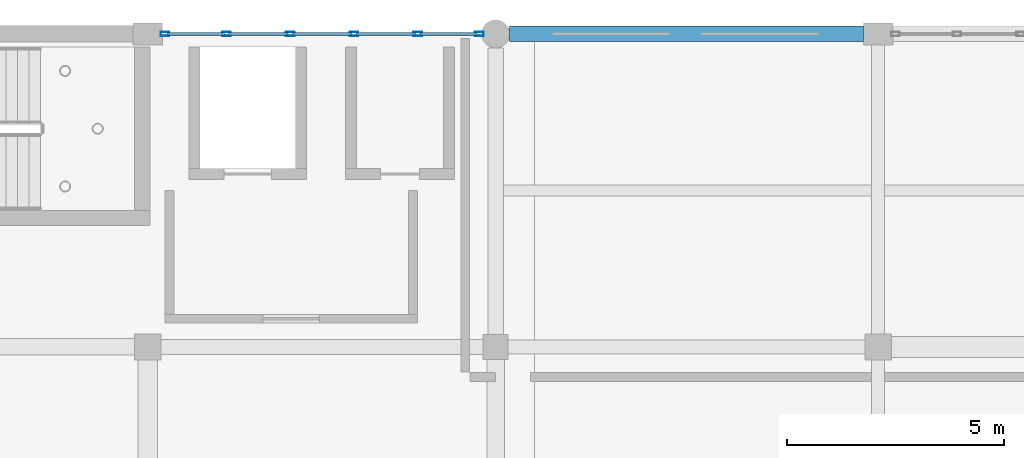
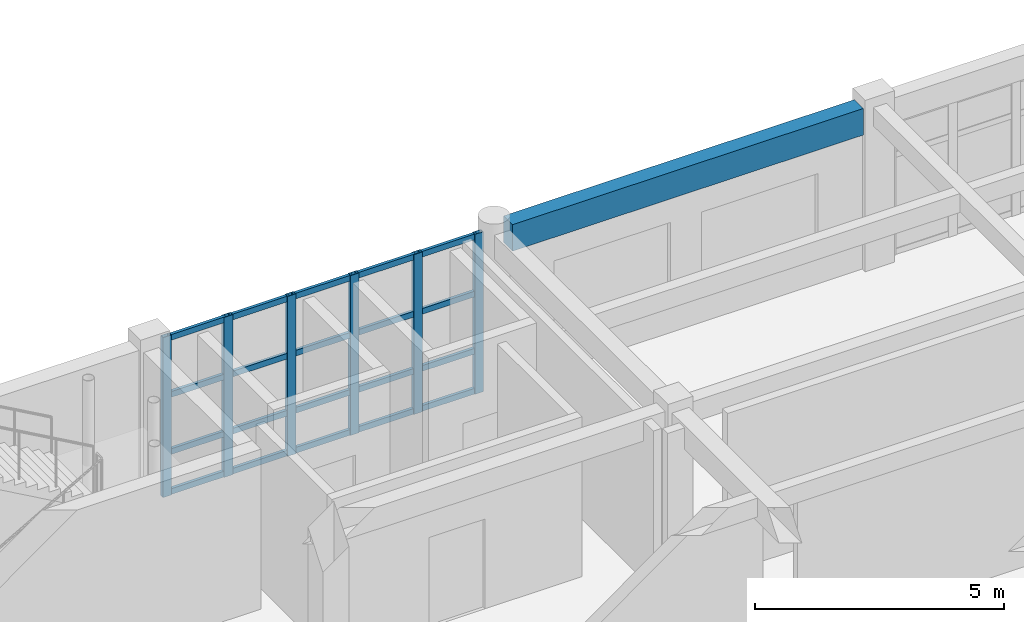
# One storey, part 63 of 121: 26 members, 1 beam, 1 element without a shape of its own.
"""IFC4 building model written with IfcOpenShell, lengths in metres."""

from ifc_helpers import new_model, si_unit, direction, frame, origin, origin_2d, place, context, subcontext, project, spatial, rectangle, hollow_rectangle, extrude, material, material_profile, profile_set, type_object, element, aggregate, save


model = new_model("IFC4")

# Units and contexts
model_context = context("Model", 3, precision=1e-05, world=origin(), true_north=direction((0.0, 1.0)))
body_context = subcontext(model_context, "Body", "Model", "MODEL_VIEW")
ifc_project = project(units=[si_unit("LENGTHUNIT", "METRE"), si_unit("AREAUNIT", "SQUARE_METRE"), si_unit("VOLUMEUNIT", "CUBIC_METRE"), si_unit("PLANEANGLEUNIT", "RADIAN"), si_unit("MASSUNIT", "GRAM", prefix="KILO")], contexts=[model_context])

# Site, building, storey
site_placement = place(None, origin())
site = spatial("IfcSite", under=ifc_project, at=site_placement, CompositionType="ELEMENT")
building_placement = place(site_placement, origin())
building = spatial("IfcBuilding", under=site, at=building_placement, Name="Kharva Crest Polytechnic", CompositionType="ELEMENT")
storey_placement = place(building_placement, frame((0.0, 0.0, 13.199951171875)))
storey = spatial("IfcBuildingStorey", under=building, at=storey_placement, Name="L03", CompositionType="ELEMENT", Elevation=13.199951171875)

# Curtain wall, members
ifc_material_1 = material(Name="Tempered insulated glass", Category="glass")
curtain_wall_type = type_object("IfcCurtainWallType", Name="CW-SYS-LIBRARY", PredefinedType="USERDEFINED", material=ifc_material_1)
curtain_wall_placement = place(storey_placement, origin())
curtain_wall = element("IfcCurtainWall", 1, at=curtain_wall_placement, inside=storey, type_object=curtain_wall_type, Name="L03 Glazed Curtain Wall CW-159", ObjectType="CURTAIN WALL", PredefinedType="USERDEFINED")
ifc_material_2 = material(Name="Steel S355", Category="steel")
ifc_material_profile_1 = material_profile(ifc_material_2, hollow_rectangle(XDim=0.10009765625, YDim=0.199951171875, WallThickness=0.00634765625, at=origin_2d()), Name="RHS 200X100X6.3")
ifc_profile_set_1 = profile_set([ifc_material_profile_1], Name="Steel S355")
member_type_1 = type_object("IfcMemberType", Name="CWM-RHS200X100", PredefinedType="MULLION", material=ifc_profile_set_1)
member_1_placement = place(storey_placement, frame((119.625, 122.0, 0.0), z_axis=(0.0, 0.0, 1.0), x_axis=(0.0, -1.0, 0.0)))
member_1 = element("IfcMember", 2, at=member_1_placement, type_object=member_type_1, Name="CW-159 mullion 1", PredefinedType="MULLION", context=body_context, shape_type="SweptSolid", body=[
    extrude(hollow_rectangle(XDim=0.10009765625, YDim=0.199951171875, WallThickness=0.00634765625, at=origin_2d()), origin(), (0.0, 0.0, 1.0), 3.920166015625),
])
member_2_placement = place(storey_placement, frame((118.208984375, 122.0, 0.0), z_axis=(0.0, 0.0, 1.0), x_axis=(0.0, -1.0, 0.0)))
member_2 = element("IfcMember", 3, at=member_2_placement, type_object=member_type_1, Name="CW-159 mullion 2", PredefinedType="MULLION", context=body_context, shape_type="SweptSolid", body=[
    extrude(hollow_rectangle(XDim=0.10009765625, YDim=0.199951171875, WallThickness=0.00634765625, at=origin_2d()), origin(), (0.0, 0.0, 1.0), 3.920166015625),
])
member_3_placement = place(storey_placement, frame((116.742919921875, 122.0, 0.0), z_axis=(0.0, 0.0, 1.0), x_axis=(0.0, -1.0, 0.0)))
member_3 = element("IfcMember", 4, at=member_3_placement, type_object=member_type_1, Name="CW-159 mullion 3", PredefinedType="MULLION", context=body_context, shape_type="SweptSolid", body=[
    extrude(hollow_rectangle(XDim=0.10009765625, YDim=0.199951171875, WallThickness=0.00634765625, at=origin_2d()), origin(), (0.0, 0.0, 1.0), 3.920166015625),
])
member_4_placement = place(storey_placement, frame((115.277099609375, 122.0, 0.0), z_axis=(0.0, 0.0, 1.0), x_axis=(0.0, -1.0, 0.0)))
member_4 = element("IfcMember", 5, at=member_4_placement, type_object=member_type_1, Name="CW-159 mullion 4", PredefinedType="MULLION", context=body_context, shape_type="SweptSolid", body=[
    extrude(hollow_rectangle(XDim=0.10009765625, YDim=0.199951171875, WallThickness=0.00634765625, at=origin_2d()), origin(), (0.0, 0.0, 1.0), 3.920166015625),
])
member_5_placement = place(storey_placement, frame((113.81103515625, 122.0, 0.0), z_axis=(0.0, 0.0, 1.0), x_axis=(0.0, -1.0, 0.0)))
member_5 = element("IfcMember", 6, at=member_5_placement, type_object=member_type_1, Name="CW-159 mullion 5", PredefinedType="MULLION", context=body_context, shape_type="SweptSolid", body=[
    extrude(hollow_rectangle(XDim=0.10009765625, YDim=0.199951171875, WallThickness=0.00634765625, at=origin_2d()), origin(), (0.0, 0.0, 1.0), 3.920166015625),
])
member_6_placement = place(storey_placement, frame((112.39501953125, 122.0, 0.0), z_axis=(0.0, 0.0, 1.0), x_axis=(0.0, -1.0, 0.0)))
member_6 = element("IfcMember", 7, at=member_6_placement, type_object=member_type_1, Name="CW-159 mullion 6", PredefinedType="MULLION", context=body_context, shape_type="SweptSolid", body=[
    extrude(hollow_rectangle(XDim=0.10009765625, YDim=0.199951171875, WallThickness=0.00634765625, at=origin_2d()), origin(), (0.0, 0.0, 1.0), 3.920166015625),
])
ifc_material_profile_2 = material_profile(ifc_material_2, hollow_rectangle(XDim=0.070068359375, YDim=0.139892578125, WallThickness=0.00390625, at=origin_2d()), Name="RHS 140X70X4.0")
ifc_profile_set_2 = profile_set([ifc_material_profile_2], Name="Steel S355")
member_type_2 = type_object("IfcMemberType", Name="CWT-RHS140X70", PredefinedType="USERDEFINED", material=ifc_profile_set_2)
member_7_placement = place(storey_placement, frame((119.574951171875, 122.0, 0.070068359375), z_axis=(-1.0, 0.0, 0.0), x_axis=(0.0, -1.0, 0.0)))
member_7 = element("IfcMember", 8, at=member_7_placement, type_object=member_type_2, Name="CW-159 transom 1.1", ObjectType="TRANSOM", PredefinedType="USERDEFINED", context=body_context, shape_type="SweptSolid", body=[
    extrude(hollow_rectangle(XDim=0.070068359375, YDim=0.139892578125, WallThickness=0.00390625, at=origin_2d()), origin(), (0.0, 0.0, 1.0), 1.31591796875),
])
member_8_placement = place(storey_placement, frame((119.574951171875, 122.0, 1.050048828125), z_axis=(-1.0, 0.0, 0.0), x_axis=(0.0, -1.0, 0.0)))
member_8 = element("IfcMember", 9, at=member_8_placement, type_object=member_type_2, Name="CW-159 transom 1.2", ObjectType="TRANSOM", PredefinedType="USERDEFINED", context=body_context, shape_type="SweptSolid", body=[
    extrude(hollow_rectangle(XDim=0.070068359375, YDim=0.139892578125, WallThickness=0.00390625, at=origin_2d()), origin(), (0.0, 0.0, 1.0), 1.31591796875),
])
member_9_placement = place(storey_placement, frame((119.574951171875, 122.0, 2.449951171875), z_axis=(-1.0, 0.0, 0.0), x_axis=(0.0, -1.0, 0.0)))
member_9 = element("IfcMember", 10, at=member_9_placement, type_object=member_type_2, Name="CW-159 transom 1.3", ObjectType="TRANSOM", PredefinedType="USERDEFINED", context=body_context, shape_type="SweptSolid", body=[
    extrude(hollow_rectangle(XDim=0.070068359375, YDim=0.139892578125, WallThickness=0.00390625, at=origin_2d()), origin(), (0.0, 0.0, 1.0), 1.31591796875),
])
member_10_placement = place(storey_placement, frame((119.574951171875, 122.0, 3.85009765625), z_axis=(-1.0, 0.0, 0.0), x_axis=(0.0, -1.0, 0.0)))
member_10 = element("IfcMember", 11, at=member_10_placement, type_object=member_type_2, Name="CW-159 transom 1.4", ObjectType="TRANSOM", PredefinedType="USERDEFINED", context=body_context, shape_type="SweptSolid", body=[
    extrude(hollow_rectangle(XDim=0.070068359375, YDim=0.139892578125, WallThickness=0.00390625, at=origin_2d()), origin(), (0.0, 0.0, 1.0), 1.31591796875),
])
member_11_placement = place(storey_placement, frame((118.158935546875, 122.0, 0.070068359375), z_axis=(-1.0, 0.0, 0.0), x_axis=(0.0, -1.0, 0.0)))
member_11 = element("IfcMember", 12, at=member_11_placement, type_object=member_type_2, Name="CW-159 transom 2.1", ObjectType="TRANSOM", PredefinedType="USERDEFINED", context=body_context, shape_type="SweptSolid", body=[
    extrude(hollow_rectangle(XDim=0.070068359375, YDim=0.139892578125, WallThickness=0.00390625, at=origin_2d()), origin(), (0.0, 0.0, 1.0), 1.365966796875),
])
member_12_placement = place(storey_placement, frame((118.158935546875, 122.0, 1.050048828125), z_axis=(-1.0, 0.0, 0.0), x_axis=(0.0, -1.0, 0.0)))
member_12 = element("IfcMember", 13, at=member_12_placement, type_object=member_type_2, Name="CW-159 transom 2.2", ObjectType="TRANSOM", PredefinedType="USERDEFINED", context=body_context, shape_type="SweptSolid", body=[
    extrude(hollow_rectangle(XDim=0.070068359375, YDim=0.139892578125, WallThickness=0.00390625, at=origin_2d()), origin(), (0.0, 0.0, 1.0), 1.365966796875),
])
member_13_placement = place(storey_placement, frame((118.158935546875, 122.0, 2.449951171875), z_axis=(-1.0, 0.0, 0.0), x_axis=(0.0, -1.0, 0.0)))
member_13 = element("IfcMember", 14, at=member_13_placement, type_object=member_type_2, Name="CW-159 transom 2.3", ObjectType="TRANSOM", PredefinedType="USERDEFINED", context=body_context, shape_type="SweptSolid", body=[
    extrude(hollow_rectangle(XDim=0.070068359375, YDim=0.139892578125, WallThickness=0.00390625, at=origin_2d()), origin(), (0.0, 0.0, 1.0), 1.365966796875),
])
member_14_placement = place(storey_placement, frame((118.158935546875, 122.0, 3.85009765625), z_axis=(-1.0, 0.0, 0.0), x_axis=(0.0, -1.0, 0.0)))
member_14 = element("IfcMember", 15, at=member_14_placement, type_object=member_type_2, Name="CW-159 transom 2.4", ObjectType="TRANSOM", PredefinedType="USERDEFINED", context=body_context, shape_type="SweptSolid", body=[
    extrude(hollow_rectangle(XDim=0.070068359375, YDim=0.139892578125, WallThickness=0.00390625, at=origin_2d()), origin(), (0.0, 0.0, 1.0), 1.365966796875),
])
member_15_placement = place(storey_placement, frame((116.693115234375, 122.0, 0.070068359375), z_axis=(-1.0, 0.0, 0.0), x_axis=(0.0, -1.0, 0.0)))
member_15 = element("IfcMember", 16, at=member_15_placement, type_object=member_type_2, Name="CW-159 transom 3.1", ObjectType="TRANSOM", PredefinedType="USERDEFINED", context=body_context, shape_type="SweptSolid", body=[
    extrude(hollow_rectangle(XDim=0.070068359375, YDim=0.139892578125, WallThickness=0.00390625, at=origin_2d()), origin(), (0.0, 0.0, 1.0), 1.3662109375),
])
member_16_placement = place(storey_placement, frame((116.693115234375, 122.0, 1.050048828125), z_axis=(-1.0, 0.0, 0.0), x_axis=(0.0, -1.0, 0.0)))
member_16 = element("IfcMember", 17, at=member_16_placement, type_object=member_type_2, Name="CW-159 transom 3.2", ObjectType="TRANSOM", PredefinedType="USERDEFINED", context=body_context, shape_type="SweptSolid", body=[
    extrude(hollow_rectangle(XDim=0.070068359375, YDim=0.139892578125, WallThickness=0.00390625, at=origin_2d()), origin(), (0.0, 0.0, 1.0), 1.3662109375),
])
member_17_placement = place(storey_placement, frame((116.693115234375, 122.0, 2.449951171875), z_axis=(-1.0, 0.0, 0.0), x_axis=(0.0, -1.0, 0.0)))
member_17 = element("IfcMember", 18, at=member_17_placement, type_object=member_type_2, Name="CW-159 transom 3.3", ObjectType="TRANSOM", PredefinedType="USERDEFINED", context=body_context, shape_type="SweptSolid", body=[
    extrude(hollow_rectangle(XDim=0.070068359375, YDim=0.139892578125, WallThickness=0.00390625, at=origin_2d()), origin(), (0.0, 0.0, 1.0), 1.3662109375),
])
member_18_placement = place(storey_placement, frame((116.693115234375, 122.0, 3.85009765625), z_axis=(-1.0, 0.0, 0.0), x_axis=(0.0, -1.0, 0.0)))
member_18 = element("IfcMember", 19, at=member_18_placement, type_object=member_type_2, Name="CW-159 transom 3.4", ObjectType="TRANSOM", PredefinedType="USERDEFINED", context=body_context, shape_type="SweptSolid", body=[
    extrude(hollow_rectangle(XDim=0.070068359375, YDim=0.139892578125, WallThickness=0.00390625, at=origin_2d()), origin(), (0.0, 0.0, 1.0), 1.3662109375),
])
member_19_placement = place(storey_placement, frame((115.22705078125, 122.0, 0.070068359375), z_axis=(-1.0, 0.0, 0.0), x_axis=(0.0, -1.0, 0.0)))
member_19 = element("IfcMember", 20, at=member_19_placement, type_object=member_type_2, Name="CW-159 transom 4.1", ObjectType="TRANSOM", PredefinedType="USERDEFINED", context=body_context, shape_type="SweptSolid", body=[
    extrude(hollow_rectangle(XDim=0.070068359375, YDim=0.139892578125, WallThickness=0.00390625, at=origin_2d()), origin(), (0.0, 0.0, 1.0), 1.365966796875),
])
member_20_placement = place(storey_placement, frame((115.22705078125, 122.0, 1.050048828125), z_axis=(-1.0, 0.0, 0.0), x_axis=(0.0, -1.0, 0.0)))
member_20 = element("IfcMember", 21, at=member_20_placement, type_object=member_type_2, Name="CW-159 transom 4.2", ObjectType="TRANSOM", PredefinedType="USERDEFINED", context=body_context, shape_type="SweptSolid", body=[
    extrude(hollow_rectangle(XDim=0.070068359375, YDim=0.139892578125, WallThickness=0.00390625, at=origin_2d()), origin(), (0.0, 0.0, 1.0), 1.365966796875),
])
member_21_placement = place(storey_placement, frame((115.22705078125, 122.0, 2.449951171875), z_axis=(-1.0, 0.0, 0.0), x_axis=(0.0, -1.0, 0.0)))
member_21 = element("IfcMember", 22, at=member_21_placement, type_object=member_type_2, Name="CW-159 transom 4.3", ObjectType="TRANSOM", PredefinedType="USERDEFINED", context=body_context, shape_type="SweptSolid", body=[
    extrude(hollow_rectangle(XDim=0.070068359375, YDim=0.139892578125, WallThickness=0.00390625, at=origin_2d()), origin(), (0.0, 0.0, 1.0), 1.365966796875),
])
member_22_placement = place(storey_placement, frame((115.22705078125, 122.0, 3.85009765625), z_axis=(-1.0, 0.0, 0.0), x_axis=(0.0, -1.0, 0.0)))
member_22 = element("IfcMember", 23, at=member_22_placement, type_object=member_type_2, Name="CW-159 transom 4.4", ObjectType="TRANSOM", PredefinedType="USERDEFINED", context=body_context, shape_type="SweptSolid", body=[
    extrude(hollow_rectangle(XDim=0.070068359375, YDim=0.139892578125, WallThickness=0.00390625, at=origin_2d()), origin(), (0.0, 0.0, 1.0), 1.365966796875),
])
member_23_placement = place(storey_placement, frame((113.760986328125, 122.0, 0.070068359375), z_axis=(-1.0, 0.0, 0.0), x_axis=(0.0, -1.0, 0.0)))
member_23 = element("IfcMember", 24, at=member_23_placement, type_object=member_type_2, Name="CW-159 transom 5.1", ObjectType="TRANSOM", PredefinedType="USERDEFINED", context=body_context, shape_type="SweptSolid", body=[
    extrude(hollow_rectangle(XDim=0.070068359375, YDim=0.139892578125, WallThickness=0.00390625, at=origin_2d()), origin(), (0.0, 0.0, 1.0), 1.31591796875),
])
member_24_placement = place(storey_placement, frame((113.760986328125, 122.0, 1.050048828125), z_axis=(-1.0, 0.0, 0.0), x_axis=(0.0, -1.0, 0.0)))
member_24 = element("IfcMember", 25, at=member_24_placement, type_object=member_type_2, Name="CW-159 transom 5.2", ObjectType="TRANSOM", PredefinedType="USERDEFINED", context=body_context, shape_type="SweptSolid", body=[
    extrude(hollow_rectangle(XDim=0.070068359375, YDim=0.139892578125, WallThickness=0.00390625, at=origin_2d()), origin(), (0.0, 0.0, 1.0), 1.31591796875),
])
member_25_placement = place(storey_placement, frame((113.760986328125, 122.0, 2.449951171875), z_axis=(-1.0, 0.0, 0.0), x_axis=(0.0, -1.0, 0.0)))
member_25 = element("IfcMember", 26, at=member_25_placement, type_object=member_type_2, Name="CW-159 transom 5.3", ObjectType="TRANSOM", PredefinedType="USERDEFINED", context=body_context, shape_type="SweptSolid", body=[
    extrude(hollow_rectangle(XDim=0.070068359375, YDim=0.139892578125, WallThickness=0.00390625, at=origin_2d()), origin(), (0.0, 0.0, 1.0), 1.31591796875),
])
member_26_placement = place(storey_placement, frame((113.760986328125, 122.0, 3.85009765625), z_axis=(-1.0, 0.0, 0.0), x_axis=(0.0, -1.0, 0.0)))
member_26 = element("IfcMember", 27, at=member_26_placement, type_object=member_type_2, Name="CW-159 transom 5.4", ObjectType="TRANSOM", PredefinedType="USERDEFINED", context=body_context, shape_type="SweptSolid", body=[
    extrude(hollow_rectangle(XDim=0.070068359375, YDim=0.139892578125, WallThickness=0.00390625, at=origin_2d()), origin(), (0.0, 0.0, 1.0), 1.31591796875),
])
aggregate(curtain_wall, [member_1, member_2, member_3, member_4, member_5, member_6, member_7, member_8, member_9, member_10, member_11, member_12, member_13, member_14, member_15, member_16, member_17, member_18, member_19, member_20, member_21, member_22, member_23, member_24, member_25, member_26])

# Beam
ifc_material_3 = material(Name="Concrete C35/45", Category="concrete")
ifc_material_profile_3 = material_profile(ifc_material_3, rectangle(XDim=0.360107421875, YDim=0.64990234375, at=origin_2d()), Name="RECT 360 X 650")
ifc_profile_set_3 = profile_set([ifc_material_profile_3], Name="Concrete C35/45")
beam_type = type_object("IfcBeamType", Name="SP-RC-360X650", PredefinedType="SPANDREL", material=ifc_profile_set_3)
beam_placement = place(storey_placement, frame((120.320068359375, 122.0, 3.635009765625), z_axis=(1.0, 0.0, 0.0), x_axis=(0.0, 1.0, 0.0)))
element("IfcBeam", 28, at=beam_placement, inside=storey, type_object=beam_type, Name="L03 Beam S/16-17", PredefinedType="SPANDREL", context=body_context, shape_type="SweptSolid", body=[
    extrude(rectangle(XDim=0.360107421875, YDim=0.64990234375, at=origin_2d()), origin(), (0.0, 0.0, 1.0), 8.139892578125),
])

save(model, "model.ifc")
